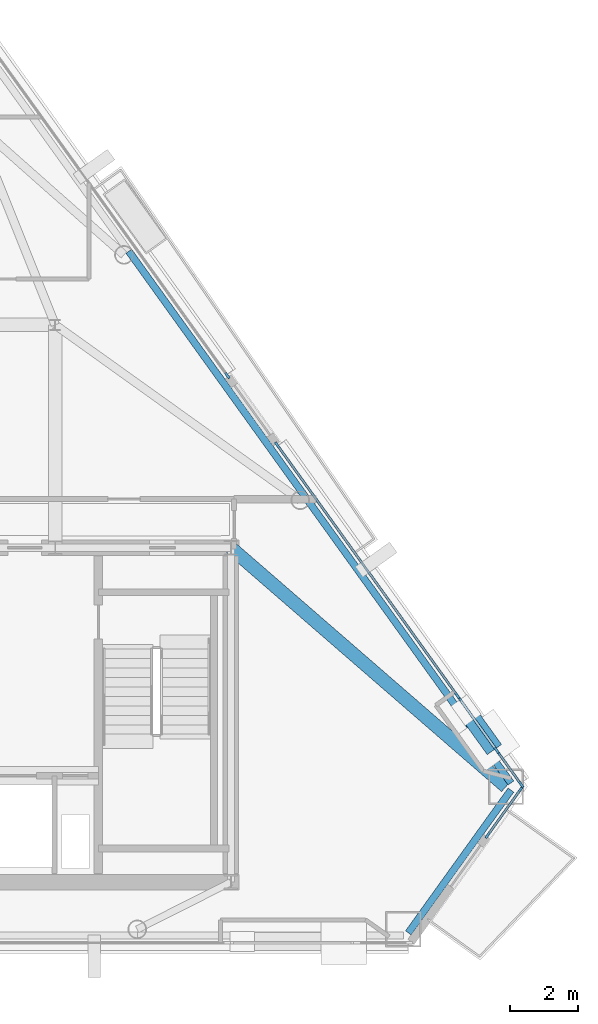
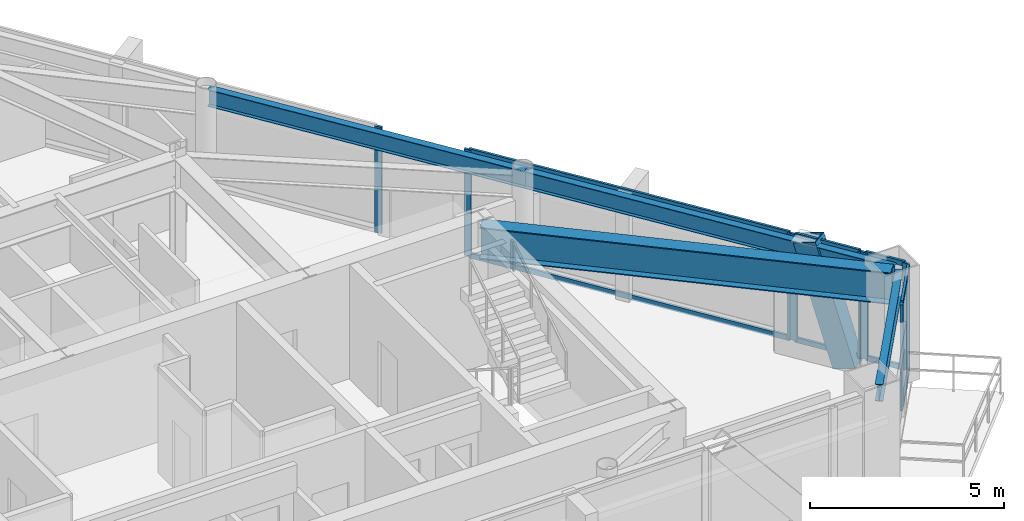
# One storey, part 5 of 11: 18 members, 4 beams, 5 elements without a shape of their own.
"""IFC4 building model written with IfcOpenShell, lengths in metres."""

from ifc_helpers import new_model, si_unit, direction, frame, origin, origin_2d, place, context, subcontext, project, spatial, rectangle, hollow_rectangle, i_section, extrude, material, layer, layer_set, material_profile, profile_set, type_object, element, aggregate, save


model = new_model("IFC4")

# Units and contexts
model_context = context("Model", 3, precision=1e-05, world=origin(), true_north=direction((0.0, 1.0)))
body_context = subcontext(model_context, "Body", "Model", "MODEL_VIEW")
ifc_project = project(units=[si_unit("LENGTHUNIT", "METRE"), si_unit("AREAUNIT", "SQUARE_METRE"), si_unit("VOLUMEUNIT", "CUBIC_METRE"), si_unit("PLANEANGLEUNIT", "RADIAN"), si_unit("MASSUNIT", "GRAM", prefix="KILO")], contexts=[model_context])

# Site, building, storey
site_placement = place(None, origin())
site = spatial("IfcSite", under=ifc_project, at=site_placement, CompositionType="ELEMENT")
building_placement = place(site_placement, origin())
building = spatial("IfcBuilding", under=site, at=building_placement, Name="Talgorran Terracotta Tower", CompositionType="ELEMENT")
storey_placement = place(building_placement, frame((0.0, 0.0, 207.300048828125)))
storey = spatial("IfcBuildingStorey", under=building, at=storey_placement, Name="L54", CompositionType="ELEMENT", Elevation=207.300048828125)

# Beams
ifc_material_1 = material(Name="Steel Grade 350 (350L0)", Category="steel")
ifc_material_profile_1 = material_profile(ifc_material_1, i_section(OverallWidth=0.39990234375, OverallDepth=1.0, WebThickness=0.01611328125, FlangeThickness=0.031005859375, at=origin_2d()), Name="1000WB296")
ifc_profile_set_1 = profile_set([ifc_material_profile_1], Name="Steel Grade 350 (350L0)")
beam_type_1 = type_object("IfcBeamType", Name="BM_1000WB296", PredefinedType="BEAM", material=ifc_profile_set_1)
beam_1_placement = place(storey_placement, frame((12.39990234375, -4.199951171875, 2.844970703125), z_axis=(0.755340259283, -0.655332810644, 0.0), x_axis=(0.655332810644, 0.755340259283, 0.0)))
element("IfcBeam", 1, at=beam_1_placement, inside=storey, type_object=beam_type_1, Name="L54 Floor Girder G18", PredefinedType="BEAM", context=body_context, shape_type="SweptSolid", body=[
    extrude(i_section(OverallWidth=0.39990234375, OverallDepth=1.0, WebThickness=0.01611328125, FlangeThickness=0.031005859375, at=origin_2d()), origin(), (0.0, 0.0, 1.0), 10.787841796875),
])
ifc_material_2 = material(Name="Steel S355 (300PLUS)", Category="steel")
ifc_material_profile_2 = material_profile(ifc_material_2, i_section(OverallWidth=0.209228515625, OverallDepth=0.532958984375, WebThickness=0.01025390625, FlangeThickness=0.015625, at=origin_2d()), Name="530UB92.4")
ifc_profile_set_2 = profile_set([ifc_material_profile_2], Name="Steel S355 (300PLUS)")
beam_type_2 = type_object("IfcBeamType", Name="BM_SP_530UB92", PredefinedType="SPANDREL", material=ifc_profile_set_2)
beam_2_placement = place(storey_placement, frame((17.656982421875, -15.601806640625, 3.078369140625), z_axis=(0.58353843734, 0.812085520217, 0.0), x_axis=(-0.812085520217, 0.58353843734, 0.0)))
element("IfcBeam", 2, at=beam_2_placement, inside=storey, type_object=beam_type_2, Name="L54 Perimeter Spandrel Beam MC3-MC4", PredefinedType="SPANDREL", context=body_context, shape_type="SweptSolid", body=[
    extrude(i_section(OverallWidth=0.209228515625, OverallDepth=0.532958984375, WebThickness=0.01025390625, FlangeThickness=0.015625, at=origin_2d()), origin(), (0.0, 0.0, 1.0), 5.20556640625),
])
beam_3_placement = place(storey_placement, frame((20.694580078125, -11.16455078125, 3.078369140625), z_axis=(-0.58355893517, 0.812070790746, 0.0), x_axis=(-0.812070790746, -0.58355893517, 0.0)))
element("IfcBeam", 3, at=beam_3_placement, inside=storey, type_object=beam_type_2, Name="L54 Perimeter Spandrel Beam MC4-FC3", PredefinedType="SPANDREL", context=body_context, shape_type="SweptSolid", body=[
    extrude(i_section(OverallWidth=0.209228515625, OverallDepth=0.532958984375, WebThickness=0.01025390625, FlangeThickness=0.015625, at=origin_2d()), origin(), (0.0, 0.0, 1.0), 10.438232421875),
])
beam_4_placement = place(storey_placement, frame((14.603271484375, -2.68798828125, 3.078369140625), z_axis=(-0.583551145521, 0.812076388378, 0.0), x_axis=(-0.812076388378, -0.583551145521, 0.0)))
element("IfcBeam", 4, at=beam_4_placement, inside=storey, type_object=beam_type_2, Name="L54 Perimeter Spandrel Beam FC3-FC4", PredefinedType="SPANDREL", context=body_context, shape_type="SweptSolid", body=[
    extrude(i_section(OverallWidth=0.209228515625, OverallDepth=0.532958984375, WebThickness=0.01025390625, FlangeThickness=0.015625, at=origin_2d()), origin(), (0.0, 0.0, 1.0), 8.947265625),
])

# Member
ifc_material_profile_3 = material_profile(ifc_material_1, hollow_rectangle(XDim=0.52001953125, YDim=0.659912109375, WallThickness=0.034912109375, at=origin_2d()), Name="WBOX660X520X35")
ifc_profile_set_3 = profile_set([ifc_material_profile_3], Name="Steel Grade 350 (350L0)")
member_type_1 = type_object("IfcMemberType", Name="MB_MEGA_660", PredefinedType="BRACE", material=ifc_profile_set_3)
member_1_placement = place(storey_placement, frame((20.020263671875, -9.917724609375, -0.275146484375), z_axis=(-0.171396030818, 0.238494663727, 0.9558994173), x_axis=(-0.812050884366, -0.583586635557, 0.0)))
element("IfcMember", 5, at=member_1_placement, inside=storey, type_object=member_type_1, Name="L54 Exterior Face Mega-Brace MB-3 (NEL)", PredefinedType="BRACE", context=body_context, shape_type="SweptSolid", body=[
    extrude(hollow_rectangle(XDim=0.52001953125, YDim=0.659912109375, WallThickness=0.034912109375, at=origin_2d()), origin(), (0.0, 0.0, 1.0), 3.813232421875),
])

# Curtain wall, members
ifc_material_3 = material(Name="High-Wind Unitised Glazing", Category="glass")
ifc_layer = layer(ifc_material_3, 0.2099609375, Name="CW_SYS3_RES_HIGH")
ifc_layer_set = layer_set([ifc_layer], Name="High-Wind Unitised Glazing")
curtain_wall_type = type_object("IfcCurtainWallType", Name="CW_SYS3_RES_HIGH", PredefinedType="NOTDEFINED", material=ifc_layer_set)
curtain_wall_1_placement = place(storey_placement, origin())
curtain_wall_1 = element("IfcCurtainWall", 6, at=curtain_wall_1_placement, inside=storey, type_object=curtain_wall_type, Name="CW-L54-F31", PredefinedType="NOTDEFINED")
ifc_material_4 = material(Name="Architectural Aluminium 6063-T6", Category="aluminium")
ifc_material_profile_4 = material_profile(ifc_material_4, rectangle(XDim=0.070068359375, YDim=0.199951171875, at=origin_2d()), Name="CWM70X200")
ifc_profile_set_4 = profile_set([ifc_material_profile_4], Name="Architectural Aluminium 6063-T6")
member_type_2 = type_object("IfcMemberType", Name="MUL_70X200", PredefinedType="MULLION", material=ifc_profile_set_4)
member_2_placement = place(storey_placement, frame((20.00244140625, -12.71484375, 0.0), z_axis=(0.0, 0.0, 1.0), x_axis=(-0.812058762422, 0.583575673219, 0.0)))
member_2 = element("IfcMember", 7, at=member_2_placement, type_object=member_type_2, Name="CW-L54-31 mullion 1", PredefinedType="MULLION", context=body_context, shape_type="SweptSolid", body=[
    extrude(rectangle(XDim=0.070068359375, YDim=0.199951171875, at=origin_2d()), origin(), (0.0, 0.0, 1.0), 3.344970703125),
])
member_3_placement = place(storey_placement, frame((20.9970703125, -11.33056640625, 0.0), z_axis=(0.0, 0.0, 1.0), x_axis=(-0.812058762422, 0.583575673219, 0.0)))
member_3 = element("IfcMember", 8, at=member_3_placement, type_object=member_type_2, Name="CW-L54-31 mullion 2", PredefinedType="MULLION", context=body_context, shape_type="SweptSolid", body=[
    extrude(rectangle(XDim=0.070068359375, YDim=0.199951171875, at=origin_2d()), origin(), (0.0, 0.0, 1.0), 3.344970703125),
])

curtain_wall_2_placement = place(storey_placement, origin())
curtain_wall_2 = element("IfcCurtainWall", 9, at=curtain_wall_2_placement, inside=storey, type_object=curtain_wall_type, Name="CW-L54-F40", PredefinedType="NOTDEFINED")
member_4_placement = place(storey_placement, frame((20.9970703125, -11.208740234375, 0.0), z_axis=(0.0, 0.0, 1.0), x_axis=(-0.812059641781, -0.58357444957, 0.0)))
member_4 = element("IfcMember", 10, at=member_4_placement, type_object=member_type_2, Name="CW-L54-40 mullion 1", PredefinedType="MULLION", context=body_context, shape_type="SweptSolid", body=[
    extrude(rectangle(XDim=0.070068359375, YDim=0.199951171875, at=origin_2d()), origin(), (0.0, 0.0, 1.0), 3.344970703125),
])
member_5_placement = place(storey_placement, frame((20.315673828125, -10.260498046875, 0.0), z_axis=(0.0, 0.0, 1.0), x_axis=(-0.812059641781, -0.58357444957, 0.0)))
member_5 = element("IfcMember", 11, at=member_5_placement, type_object=member_type_2, Name="CW-L54-40 mullion 2", PredefinedType="MULLION", context=body_context, shape_type="SweptSolid", body=[
    extrude(rectangle(XDim=0.070068359375, YDim=0.199951171875, at=origin_2d()), origin(), (0.0, 0.0, 1.0), 3.344970703125),
])

curtain_wall_3_placement = place(storey_placement, origin())
curtain_wall_3 = element("IfcCurtainWall", 12, at=curtain_wall_3_placement, inside=storey, type_object=curtain_wall_type, Name="CW-L54-F40B", PredefinedType="NOTDEFINED")
member_6_placement = place(storey_placement, frame((20.26904296875, -10.195556640625, 0.0), z_axis=(0.0, 0.0, 1.0), x_axis=(-0.812063093594, -0.583569646249, 0.0)))
member_6 = element("IfcMember", 13, at=member_6_placement, type_object=member_type_2, Name="CW-L54-40B mullion 1", PredefinedType="MULLION", context=body_context, shape_type="SweptSolid", body=[
    extrude(rectangle(XDim=0.070068359375, YDim=0.199951171875, at=origin_2d()), origin(), (0.0, 0.0, 1.0), 3.344970703125),
])
member_7_placement = place(storey_placement, frame((19.15087890625, -8.639404296875, 0.0), z_axis=(0.0, 0.0, 1.0), x_axis=(-0.812063093594, -0.583569646249, 0.0)))
member_7 = element("IfcMember", 14, at=member_7_placement, type_object=member_type_2, Name="CW-L54-40B mullion 2", PredefinedType="MULLION", context=body_context, shape_type="SweptSolid", body=[
    extrude(rectangle(XDim=0.070068359375, YDim=0.199951171875, at=origin_2d()), origin(), (0.0, 0.0, 1.0), 3.344970703125),
])

curtain_wall_4_placement = place(storey_placement, origin())
curtain_wall_4 = element("IfcCurtainWall", 15, at=curtain_wall_4_placement, inside=storey, type_object=curtain_wall_type, Name="CW-L54-F40C", PredefinedType="NOTDEFINED")
member_8_placement = place(storey_placement, frame((19.104248046875, -8.574462890625, 0.0), z_axis=(0.0, 0.0, 1.0), x_axis=(-0.812074898098, -0.583553219406, 0.0)))
member_8 = element("IfcMember", 16, at=member_8_placement, type_object=member_type_2, Name="CW-L54-40C mullion 1", PredefinedType="MULLION", context=body_context, shape_type="SweptSolid", body=[
    extrude(rectangle(XDim=0.070068359375, YDim=0.199951171875, at=origin_2d()), origin(), (0.0, 0.0, 1.0), 3.344970703125),
])
member_9_placement = place(storey_placement, frame((13.773681640625, -1.15625, 0.0), z_axis=(0.0, 0.0, 1.0), x_axis=(-0.812074898098, -0.583553219406, 0.0)))
member_9 = element("IfcMember", 17, at=member_9_placement, type_object=member_type_2, Name="CW-L54-40C mullion 2", PredefinedType="MULLION", context=body_context, shape_type="SweptSolid", body=[
    extrude(rectangle(XDim=0.070068359375, YDim=0.199951171875, at=origin_2d()), origin(), (0.0, 0.0, 1.0), 3.344970703125),
])

# Curtain wall, member
curtain_wall_5_placement = place(storey_placement, origin())
curtain_wall_5 = element("IfcCurtainWall", 18, at=curtain_wall_5_placement, inside=storey, type_object=curtain_wall_type, Name="CW-L54-F41", PredefinedType="NOTDEFINED")
member_10_placement = place(storey_placement, frame((12.297119140625, 0.898193359375, 0.0), z_axis=(0.0, 0.0, 1.0), x_axis=(-0.812077339642, -0.583549821729, 0.0)))
member_10 = element("IfcMember", 19, at=member_10_placement, type_object=member_type_2, Name="CW-L54-41 mullion 1", PredefinedType="MULLION", context=body_context, shape_type="SweptSolid", body=[
    extrude(rectangle(XDim=0.070068359375, YDim=0.199951171875, at=origin_2d()), origin(), (0.0, 0.0, 1.0), 3.344970703125),
])
aggregate(curtain_wall_5, [member_10])

# Member
ifc_material_profile_5 = material_profile(ifc_material_4, rectangle(XDim=0.070068359375, YDim=0.159912109375, at=origin_2d()), Name="CWT70X160")
ifc_profile_set_5 = profile_set([ifc_material_profile_5], Name="Architectural Aluminium 6063-T6")
member_type_3 = type_object("IfcMemberType", Name="TRN_70X160", PredefinedType="USERDEFINED", material=ifc_profile_set_5)
member_11_placement = place(storey_placement, frame((20.022705078125, -12.6865234375, 0.034912109375), z_axis=(0.583580661131, 0.8120551779, 0.0), x_axis=(-0.8120551779, 0.583580661131, 0.0)))
member_11 = element("IfcMember", 20, at=member_11_placement, type_object=member_type_3, Name="CW-L54-31 transom 1.1", ObjectType="TRANSOM", PredefinedType="USERDEFINED", context=body_context, shape_type="SweptSolid", body=[
    extrude(rectangle(XDim=0.070068359375, YDim=0.159912109375, at=origin_2d()), origin(), (0.0, 0.0, 1.0), 1.635009765625),
])

member_12_placement = place(storey_placement, frame((20.022705078125, -12.6865234375, 3.31005859375), z_axis=(0.583580661131, 0.8120551779, 0.0), x_axis=(-0.8120551779, 0.583580661131, 0.0)))
member_12 = element("IfcMember", 21, at=member_12_placement, type_object=member_type_3, Name="CW-L54-31 transom 1.2", ObjectType="TRANSOM", PredefinedType="USERDEFINED", context=body_context, shape_type="SweptSolid", body=[
    extrude(rectangle(XDim=0.070068359375, YDim=0.159912109375, at=origin_2d()), origin(), (0.0, 0.0, 1.0), 1.635009765625),
])

aggregate(curtain_wall_1, [member_2, member_3, member_11, member_12])

member_13_placement = place(storey_placement, frame((20.976806640625, -11.18017578125, 0.034912109375), z_axis=(-0.583613133454, 0.812031840792, 0.0), x_axis=(-0.812031840792, -0.583613133454, 0.0)))
member_13 = element("IfcMember", 22, at=member_13_placement, type_object=member_type_3, Name="CW-L54-40 transom 1.1", ObjectType="TRANSOM", PredefinedType="USERDEFINED", context=body_context, shape_type="SweptSolid", body=[
    extrude(rectangle(XDim=0.070068359375, YDim=0.159912109375, at=origin_2d()), origin(), (0.0, 0.0, 1.0), 1.09765625),
])

member_14_placement = place(storey_placement, frame((20.976806640625, -11.18017578125, 3.31005859375), z_axis=(-0.583613133454, 0.812031840792, 0.0), x_axis=(-0.812031840792, -0.583613133454, 0.0)))
member_14 = element("IfcMember", 23, at=member_14_placement, type_object=member_type_3, Name="CW-L54-40 transom 1.2", ObjectType="TRANSOM", PredefinedType="USERDEFINED", context=body_context, shape_type="SweptSolid", body=[
    extrude(rectangle(XDim=0.070068359375, YDim=0.159912109375, at=origin_2d()), origin(), (0.0, 0.0, 1.0), 1.09765625),
])

aggregate(curtain_wall_2, [member_4, member_5, member_13, member_14])

member_15_placement = place(storey_placement, frame((20.24853515625, -10.1669921875, 0.034912109375), z_axis=(-0.583537933591, 0.812085882195, 0.0), x_axis=(-0.812085882195, -0.583537933591, 0.0)))
member_15 = element("IfcMember", 24, at=member_15_placement, type_object=member_type_3, Name="CW-L54-40B transom 1.1", ObjectType="TRANSOM", PredefinedType="USERDEFINED", context=body_context, shape_type="SweptSolid", body=[
    extrude(rectangle(XDim=0.070068359375, YDim=0.159912109375, at=origin_2d()), origin(), (0.0, 0.0, 1.0), 1.845947265625),
])

member_16_placement = place(storey_placement, frame((20.24853515625, -10.1669921875, 3.31005859375), z_axis=(-0.583537933591, 0.812085882195, 0.0), x_axis=(-0.812085882195, -0.583537933591, 0.0)))
member_16 = element("IfcMember", 25, at=member_16_placement, type_object=member_type_3, Name="CW-L54-40B transom 1.2", ObjectType="TRANSOM", PredefinedType="USERDEFINED", context=body_context, shape_type="SweptSolid", body=[
    extrude(rectangle(XDim=0.070068359375, YDim=0.159912109375, at=origin_2d()), origin(), (0.0, 0.0, 1.0), 1.845947265625),
])

aggregate(curtain_wall_3, [member_6, member_7, member_15, member_16])

member_17_placement = place(storey_placement, frame((19.083740234375, -8.546142578125, 0.034912109375), z_axis=(-0.58355169159, 0.812075995977, 0.0), x_axis=(-0.812075995977, -0.58355169159, 0.0)))
member_17 = element("IfcMember", 26, at=member_17_placement, type_object=member_type_3, Name="CW-L54-40C transom 1.1", ObjectType="TRANSOM", PredefinedType="USERDEFINED", context=body_context, shape_type="SweptSolid", body=[
    extrude(rectangle(XDim=0.070068359375, YDim=0.159912109375, at=origin_2d()), origin(), (0.0, 0.0, 1.0), 9.06494140625),
])

member_18_placement = place(storey_placement, frame((19.083740234375, -8.546142578125, 3.31005859375), z_axis=(-0.58355169159, 0.812075995977, 0.0), x_axis=(-0.812075995977, -0.58355169159, 0.0)))
member_18 = element("IfcMember", 27, at=member_18_placement, type_object=member_type_3, Name="CW-L54-40C transom 1.2", ObjectType="TRANSOM", PredefinedType="USERDEFINED", context=body_context, shape_type="SweptSolid", body=[
    extrude(rectangle(XDim=0.070068359375, YDim=0.159912109375, at=origin_2d()), origin(), (0.0, 0.0, 1.0), 9.06494140625),
])

aggregate(curtain_wall_4, [member_8, member_9, member_17, member_18])

save(model, "model.ifc")
